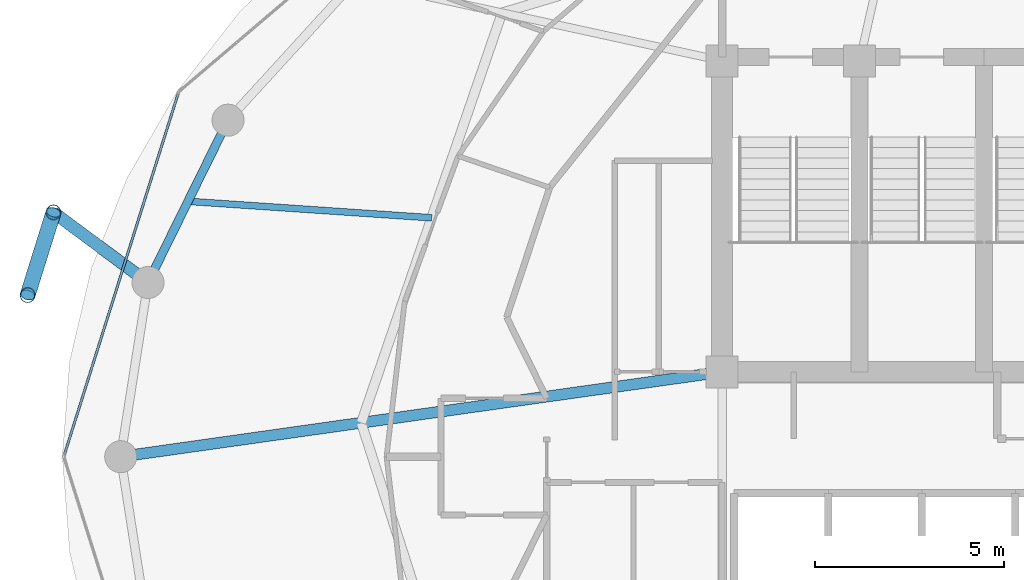
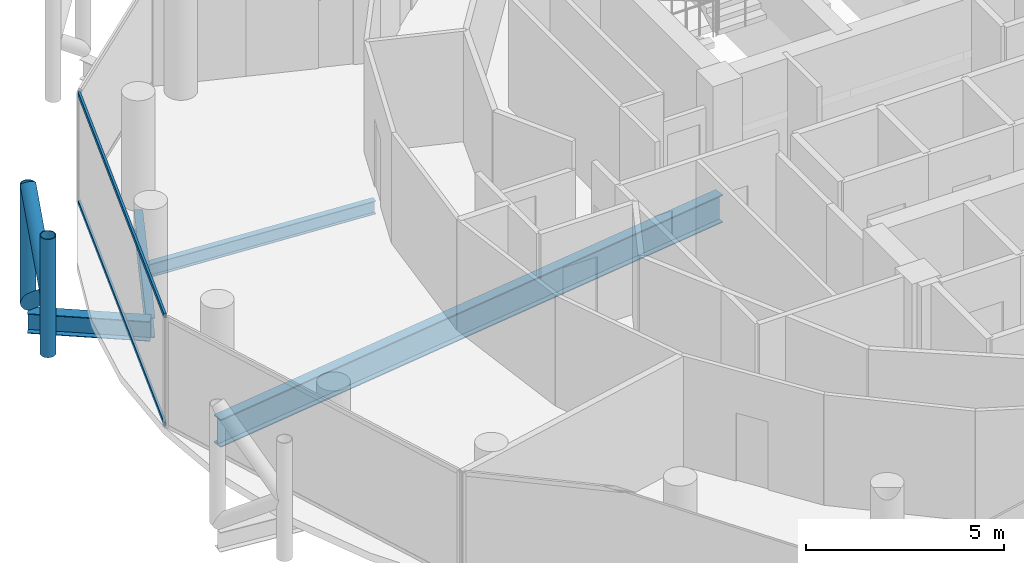
# One storey, part 8 of 27: 6 members, 4 beams, 1 element without a shape of its own.
"""IFC4 building model written with IfcOpenShell, lengths in metres."""

from ifc_helpers import new_model, si_unit, direction, frame, origin, origin_2d, place, context, subcontext, project, spatial, hollow_rectangle, hollow_circle, i_section, extrude, material, layer, layer_set, material_profile, profile_set, type_object, element, aggregate, save


model = new_model("IFC4")

# Units and contexts
model_context = context("Model", 3, precision=1e-05, world=origin(), true_north=direction((0.0, 1.0)))
body_context = subcontext(model_context, "Body", "Model", "MODEL_VIEW")
ifc_project = project(units=[si_unit("LENGTHUNIT", "METRE"), si_unit("AREAUNIT", "SQUARE_METRE"), si_unit("VOLUMEUNIT", "CUBIC_METRE"), si_unit("PLANEANGLEUNIT", "RADIAN"), si_unit("MASSUNIT", "GRAM", prefix="KILO")], contexts=[model_context])

# Site, building, storey
site_placement = place(None, origin())
site = spatial("IfcSite", under=ifc_project, at=site_placement, CompositionType="ELEMENT")
building_placement = place(site_placement, origin())
building = spatial("IfcBuilding", under=site, at=building_placement, Name="Nuhasar Tower", CompositionType="ELEMENT")
storey_placement = place(building_placement, frame((0.0, 0.0, 211.800048828125)))
storey = spatial("IfcBuildingStorey", under=building, at=storey_placement, Name="L51", CompositionType="ELEMENT", Elevation=211.800048828125)

# Beams
ifc_material_1 = material(Name="Steel S355", Category="steel")
ifc_material_profile_1 = material_profile(ifc_material_1, i_section(OverallWidth=0.177978515625, OverallDepth=0.406005859375, WebThickness=0.0078125, FlangeThickness=0.0126953125, at=origin_2d()), Name="W16X40")
ifc_profile_set_1 = profile_set([ifc_material_profile_1], Name="Steel S355")
beam_type_1 = type_object("IfcBeamType", Name="BM-JST-W16X40", PredefinedType="JOIST", material=ifc_profile_set_1)
beam_1_placement = place(storey_placement, frame((25.9970703125, 33.135986328125, -0.443115234375), z_axis=(-0.997721156568, 0.067472170095, 0.0), x_axis=(-0.067472170095, -0.997721156568, 0.0)))
element("IfcBeam", 1, at=beam_1_placement, inside=storey, type_object=beam_type_1, Name="L51 Secondary Floor Joist 07", PredefinedType="JOIST", context=body_context, shape_type="SweptSolid", body=[
    extrude(i_section(OverallWidth=0.177978515625, OverallDepth=0.406005859375, WebThickness=0.0078125, FlangeThickness=0.0126953125, at=origin_2d()), origin(), (0.0, 0.0, 1.0), 6.476806640625),
])
ifc_material_profile_2 = material_profile(ifc_material_1, i_section(OverallWidth=0.2919921875, OverallDepth=0.85888671875, WebThickness=0.01708984375, FlangeThickness=0.031005859375, at=origin_2d()), Name="W33X169")
ifc_profile_set_2 = profile_set([ifc_material_profile_2], Name="Steel S355")
beam_type_2 = type_object("IfcBeamType", Name="BM-POD-W33X169", PredefinedType="BEAM", material=ifc_profile_set_2)
beam_2_placement = place(storey_placement, frame((33.699951171875, 29.050048828125, -0.6689453125), z_axis=(-0.990196233464, -0.139683281866, 0.0), x_axis=(0.139683281866, -0.990196233464, 0.0)))
element("IfcBeam", 2, at=beam_2_placement, inside=storey, type_object=beam_type_2, Name="L51 Radial Floor Girder 08", PredefinedType="BEAM", context=body_context, shape_type="SweptSolid", body=[
    extrude(i_section(OverallWidth=0.2919921875, OverallDepth=0.85888671875, WebThickness=0.01708984375, FlangeThickness=0.031005859375, at=origin_2d()), origin(), (0.0, 0.0, 1.0), 16.10791015625),
])
ifc_material_profile_3 = material_profile(ifc_material_1, i_section(OverallWidth=0.22802734375, OverallDepth=0.60791015625, WebThickness=0.01123046875, FlangeThickness=0.017333984375, at=origin_2d()), Name="W24X76")
ifc_profile_set_3 = profile_set([ifc_material_profile_3], Name="Steel S355")
beam_type_3 = type_object("IfcBeamType", Name="BM-RING-W24X76", PredefinedType="SPANDREL", material=ifc_profile_set_3)
beam_3_placement = place(storey_placement, frame((20.596923828125, 35.72509765625, -0.5439453125), z_axis=(-0.442242604409, -0.896895467067, 0.0), x_axis=(0.896895467067, -0.442242604409, 0.0)))
element("IfcBeam", 3, at=beam_3_placement, inside=storey, type_object=beam_type_3, Name="L51 Perimeter Ring Spandrel 11", PredefinedType="SPANDREL", context=body_context, shape_type="SweptSolid", body=[
    extrude(i_section(OverallWidth=0.22802734375, OverallDepth=0.60791015625, WebThickness=0.01123046875, FlangeThickness=0.017333984375, at=origin_2d()), origin(), (0.0, 0.0, 1.0), 4.800048828125),
])
ifc_material_profile_4 = material_profile(ifc_material_1, i_section(OverallWidth=0.323974609375, OverallDepth=0.611083984375, WebThickness=0.0126953125, FlangeThickness=0.01904296875, at=origin_2d()), Name="W24X104")
ifc_profile_set_4 = profile_set([ifc_material_profile_4], Name="Steel S355")
beam_type_4 = type_object("IfcBeamType", Name="BM-TIE-W24X104", PredefinedType="BEAM", material=ifc_profile_set_4)
beam_4_placement = place(storey_placement, frame((18.47412109375, 31.419921875, -0.545166015625), z_axis=(-0.802945922723, 0.596051881285, 0.0), x_axis=(-0.596051881285, -0.802945922723, 0.0)))
element("IfcBeam", 4, at=beam_4_placement, inside=storey, type_object=beam_type_4, Name="L51 Exoskeleton Node Tie Beam 06", PredefinedType="BEAM", context=body_context, shape_type="SweptSolid", body=[
    extrude(i_section(OverallWidth=0.323974609375, OverallDepth=0.611083984375, WebThickness=0.0126953125, FlangeThickness=0.01904296875, at=origin_2d()), origin(), (0.0, 0.0, 1.0), 3.122314453125),
])

# Curtain wall, members
ifc_material_2 = material(Name="Aluminium 6063-T6", Category="aluminium")
ifc_layer = layer(ifc_material_2, 0.18994140625)
ifc_layer_set = layer_set([ifc_layer], Name="Aluminium 6063-T6")
curtain_wall_type = type_object("IfcCurtainWallType", Name="CW-Z3-RES", PredefinedType="NOTDEFINED", material=ifc_layer_set)
curtain_wall_placement = place(storey_placement, origin())
curtain_wall = element("IfcCurtainWall", 5, at=curtain_wall_placement, inside=storey, type_object=curtain_wall_type, Name="L51 Unitised Curtain Wall 06", PredefinedType="NOTDEFINED")
ifc_material_profile_5 = material_profile(ifc_material_2, hollow_rectangle(XDim=0.06494140625, YDim=0.139892578125, WallThickness=0.00439453125, at=origin_2d()), Name="CWT-4")
ifc_profile_set_5 = profile_set([ifc_material_profile_5], Name="Aluminium 6063-T6")
member_type_1 = type_object("IfcMemberType", Name="CW-TRN-S4", PredefinedType="USERDEFINED", material=ifc_profile_set_5)
member_1_placement = place(storey_placement, frame((19.26953125, 36.41796875, 0.032470703125), z_axis=(-0.300437373386, -0.953801543652, 0.0), x_axis=(0.953801543652, -0.300437373386, 0.0)))
member_1 = element("IfcMember", 6, at=member_1_placement, type_object=member_type_1, Name="CW-Z3 transom 1.1", ObjectType="TRANSOM", PredefinedType="USERDEFINED", context=body_context, shape_type="SweptSolid", body=[
    extrude(hollow_rectangle(XDim=0.06494140625, YDim=0.139892578125, WallThickness=0.00439453125, at=origin_2d()), origin(), (0.0, 0.0, 1.0), 10.018798828125),
])
member_2_placement = place(storey_placement, frame((19.26953125, 36.41796875, 3.37744140625), z_axis=(-0.300437373386, -0.953801543652, 0.0), x_axis=(0.953801543652, -0.300437373386, 0.0)))
member_2 = element("IfcMember", 7, at=member_2_placement, type_object=member_type_1, Name="CW-Z3 transom 1.2", ObjectType="TRANSOM", PredefinedType="USERDEFINED", context=body_context, shape_type="SweptSolid", body=[
    extrude(hollow_rectangle(XDim=0.06494140625, YDim=0.139892578125, WallThickness=0.00439453125, at=origin_2d()), origin(), (0.0, 0.0, 1.0), 10.018798828125),
])
aggregate(curtain_wall, [member_1, member_2])

# Members
ifc_material_3 = material(Name="Steel S460", Category="steel")
ifc_material_profile_6 = material_profile(ifc_material_3, hollow_circle(Radius=0.203125, WallThickness=0.01904296875, at=origin_2d()), Name="HSS406.4X19.1")
ifc_profile_set_6 = profile_set([ifc_material_profile_6], Name="Steel S460")
member_type_2 = type_object("IfcMemberType", Name="EXO-BRONZE-406", PredefinedType="BRACE", material=ifc_profile_set_6)
for number, where, z_axis, x_axis, name in (
    (8, (15.967041015625, 33.281005859375, 0.0), (0.0, 0.0, 1.0), (1.0, 0.0, 0.0), "L51 Exoskeleton Chord Column EC-06A"),
    (9, (15.281982421875, 31.0859375, 0.0), (0.0, 0.0, 1.0), (1.0, 0.0, 0.0), "L51 Exoskeleton Chord Column EC-06B"),
):
    element("IfcMember", number, at=place(storey_placement, frame(where, z_axis=z_axis, x_axis=x_axis)), inside=storey, type_object=member_type_2, Name=name, PredefinedType="BRACE", context=body_context, shape_type="SweptSolid", body=[
        extrude(hollow_circle(Radius=0.203125, WallThickness=0.01904296875, at=origin_2d()), origin(), (0.0, 0.0, 1.0), 3.64990234375),
    ])
for number, where, z_axis, x_axis, name in (
    (10, (15.967041015625, 33.281005859375, 0.0), (-0.233357911711, -0.747726651531, 0.621650174641), (0.954591372974, -0.297918295247, 0.0), "L51 Bronze Diagrid Brace W1-06"),
    (11, (15.281982421875, 31.0859375, 1.824951171875), (0.233357911711, 0.747726651531, 0.621650174641), (-0.954591372974, 0.297918295247, 0.0), "L51 Bronze Diagrid Brace W2-06"),
):
    element("IfcMember", number, at=place(storey_placement, frame(where, z_axis=z_axis, x_axis=x_axis)), inside=storey, type_object=member_type_2, Name=name, PredefinedType="BRACE", context=body_context, shape_type="SweptSolid", body=[
        extrude(hollow_circle(Radius=0.203125, WallThickness=0.01904296875, at=origin_2d()), origin(), (0.0, 0.0, 1.0), 2.935546875),
    ])

save(model, "model.ifc")
